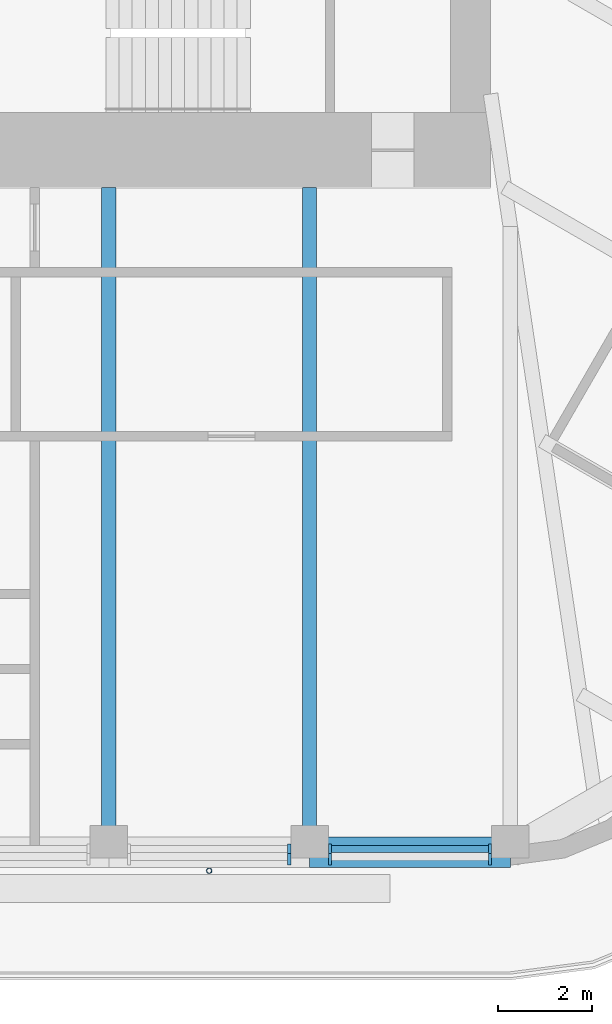
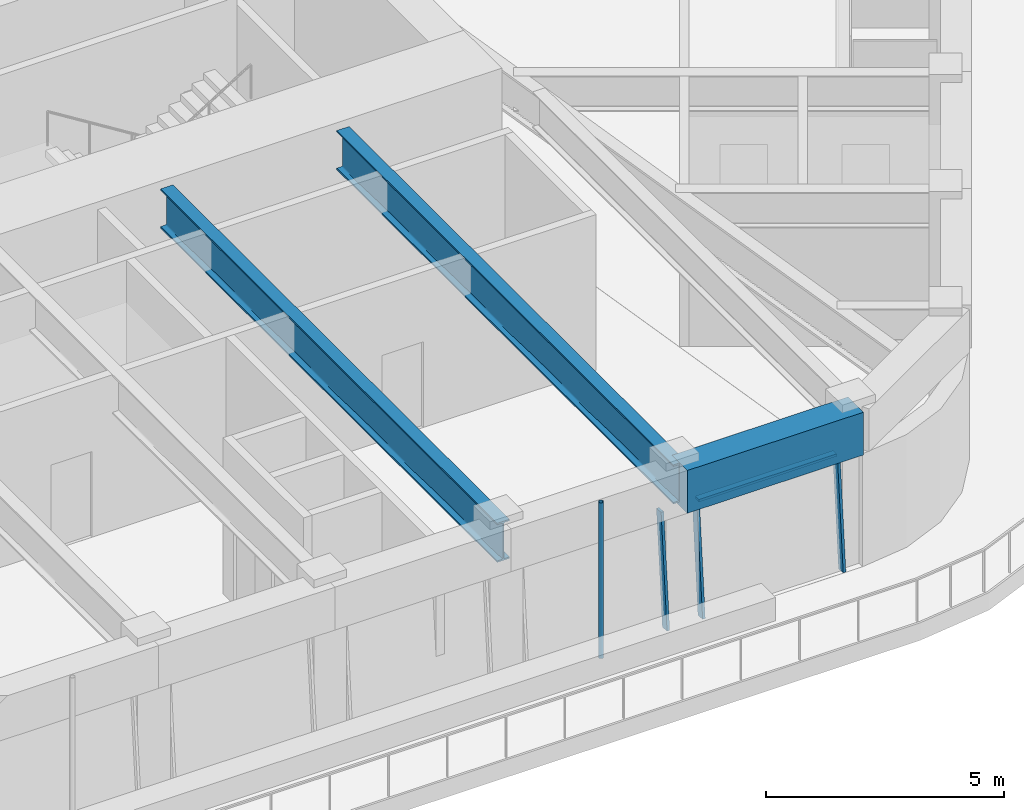
# One storey, part 4 of 20: 5 members, 3 beams, 2 elements without a shape of their own.
"""IFC4 building model written with IfcOpenShell, lengths in metres."""

from ifc_helpers import new_model, si_unit, direction, frame, origin, origin_2d, place, context, subcontext, project, spatial, rectangle, hollow_circle, i_section, extrude, material, material_profile, profile_set, type_object, element, aggregate, save


model = new_model("IFC4")

# Units and contexts
model_context = context("Model", 3, precision=1e-05, world=origin(), true_north=direction((0.0, 1.0)))
body_context = subcontext(model_context, "Body", "Model", "MODEL_VIEW")
ifc_project = project(units=[si_unit("LENGTHUNIT", "METRE"), si_unit("AREAUNIT", "SQUARE_METRE"), si_unit("VOLUMEUNIT", "CUBIC_METRE"), si_unit("PLANEANGLEUNIT", "RADIAN"), si_unit("MASSUNIT", "GRAM", prefix="KILO")], contexts=[model_context])

# Site, building, storey
site_placement = place(None, origin())
site = spatial("IfcSite", under=ifc_project, at=site_placement, CompositionType="ELEMENT")
building_placement = place(site_placement, origin())
building = spatial("IfcBuilding", under=site, at=building_placement, Name="Tarfa Lantern Tower", CompositionType="ELEMENT")
storey_placement = place(building_placement, frame((0.0, 0.0, 382.89990234375)))
storey = spatial("IfcBuildingStorey", under=building, at=storey_placement, Name="L87", CompositionType="ELEMENT", Elevation=382.89990234375)

# Curtain wall, member
ifc_material_1 = material(Name="Aluminium framed curtain wall", Category="aluminium")
curtain_wall_type = type_object("IfcCurtainWallType", Name="CW4 CANTED GLAZING EXECUTIVE ZONE 2900", PredefinedType="USERDEFINED", material=ifc_material_1)
curtain_wall_1_placement = place(storey_placement, origin())
curtain_wall_1 = element("IfcCurtainWall", 1, at=curtain_wall_1_placement, inside=storey, type_object=curtain_wall_type, Name="CW4 S L87", ObjectType="CURTAIN WALL", PredefinedType="USERDEFINED")
ifc_material_2 = material(Name="Aluminium mullion", Category="aluminium")
ifc_material_profile_1 = material_profile(ifc_material_2, rectangle(XDim=0.06494140625, YDim=0.199951171875, at=origin_2d()), Name="AL MULLION 65x200")
ifc_profile_set_1 = profile_set([ifc_material_profile_1], Name="Aluminium mullion")
member_type_1 = type_object("IfcMemberType", Name="CWM1 MULLION 65x200", PredefinedType="MULLION", material=ifc_profile_set_1)
member_1_placement = place(storey_placement, frame((8.131591796875, -26.64990234375, 0.0), z_axis=(0.0, 0.085884035992, 0.996305140186), x_axis=(-1.0, 0.0, 0.0)))
member_1 = element("IfcMember", 2, at=member_1_placement, type_object=member_type_1, Name="CW4 mullion 2", PredefinedType="MULLION", context=body_context, shape_type="SweptSolid", body=[
    extrude(rectangle(XDim=0.06494140625, YDim=0.199951171875, at=origin_2d()), origin(), (0.0, 0.0, 1.0), 2.910888671875),
])
aggregate(curtain_wall_1, [member_1])

# Curtain wall, members
curtain_wall_2_placement = place(storey_placement, origin())
curtain_wall_2 = element("IfcCurtainWall", 3, at=curtain_wall_2_placement, inside=storey, type_object=curtain_wall_type, Name="CW4 S L87", ObjectType="CURTAIN WALL", PredefinedType="USERDEFINED")
member_2_placement = place(storey_placement, frame((8.99658203125, -26.64990234375, 0.0), z_axis=(0.0, 0.085884035992, 0.996305140186), x_axis=(-1.0, 0.0, 0.0)))
member_2 = element("IfcMember", 4, at=member_2_placement, type_object=member_type_1, Name="CW4 mullion 1", PredefinedType="MULLION", context=body_context, shape_type="SweptSolid", body=[
    extrude(rectangle(XDim=0.06494140625, YDim=0.199951171875, at=origin_2d()), origin(), (0.0, 0.0, 1.0), 2.910888671875),
])
member_3_placement = place(storey_placement, frame((12.41357421875, -26.64990234375, 0.0), z_axis=(0.0, 0.085884035992, 0.996305140186), x_axis=(-1.0, 0.0, 0.0)))
member_3 = element("IfcMember", 5, at=member_3_placement, type_object=member_type_1, Name="CW4 mullion 2", PredefinedType="MULLION", context=body_context, shape_type="SweptSolid", body=[
    extrude(rectangle(XDim=0.06494140625, YDim=0.199951171875, at=origin_2d()), origin(), (0.0, 0.0, 1.0), 2.910888671875),
])
ifc_material_3 = material(Name="Aluminium transom", Category="aluminium")
ifc_material_profile_2 = material_profile(ifc_material_3, rectangle(XDim=0.14990234375, YDim=0.06494140625, at=origin_2d()), Name="AL TRANSOM 150x65")
ifc_profile_set_2 = profile_set([ifc_material_profile_2], Name="Aluminium transom")
member_type_2 = type_object("IfcMemberType", Name="CWT1 TRANSOM 150x65", PredefinedType="USERDEFINED", material=ifc_profile_set_2)
member_4_placement = place(storey_placement, frame((9.029052734375, -26.40283203125, 2.86767578125), z_axis=(1.0, 0.0, 0.0), x_axis=(0.0, 1.0, 0.0)))
member_4 = element("IfcMember", 6, at=member_4_placement, type_object=member_type_2, Name="CW4 transom 1.2", ObjectType="TRANSOM", PredefinedType="USERDEFINED", context=body_context, shape_type="SweptSolid", body=[
    extrude(rectangle(XDim=0.14990234375, YDim=0.06494140625, at=origin_2d()), origin(), (0.0, 0.0, 1.0), 3.35205078125),
])
aggregate(curtain_wall_2, [member_2, member_3, member_4])

# Beam
ifc_material_4 = material(Name="Concrete C80/95", Category="concrete")
ifc_material_profile_3 = material_profile(ifc_material_4, rectangle(XDim=0.64990234375, YDim=1.10009765625, at=origin_2d()), Name="RC 650x1100")
ifc_profile_set_3 = profile_set([ifc_material_profile_3], Name="Concrete C80/95")
beam_type_1 = type_object("IfcBeamType", Name="EB4 RC 650x1100", PredefinedType="SPANDREL", material=ifc_profile_set_3)
beam_placement = place(storey_placement, frame((8.56396484375, -26.469970703125, 3.4501953125), z_axis=(1.0, 0.0, 0.0), x_axis=(0.0, 1.0, 0.0)))
element("IfcBeam", 7, at=beam_placement, inside=storey, type_object=beam_type_1, Name="Edge beam S5", PredefinedType="SPANDREL", context=body_context, shape_type="SweptSolid", body=[
    extrude(rectangle(XDim=0.64990234375, YDim=1.10009765625, at=origin_2d()), origin(), (0.0, 0.0, 1.0), 4.281982421875),
])

# Member
ifc_material_5 = material(Name="Steel S355", Category="steel")
ifc_material_profile_4 = material_profile(ifc_material_5, hollow_circle(Radius=0.05712890625, WallThickness=0.00634765625, at=origin_2d()), Name="CHS114.3x6.3")
ifc_profile_set_4 = profile_set([ifc_material_profile_4], Name="Steel S355")
member_type_3 = type_object("IfcMemberType", Name="TR1 GREEN WALL TRELLIS CHS114.3x6.3", PredefinedType="USERDEFINED", material=ifc_profile_set_4)
member_5_placement = place(storey_placement, frame((6.423095703125, -26.8701171875, 0.0), z_axis=(0.0, 0.0, 1.0), x_axis=(1.0, 0.0, 0.0)))
element("IfcMember", 8, at=member_5_placement, inside=storey, type_object=member_type_3, Name="Trellis post S 2", ObjectType="TRELLIS", PredefinedType="USERDEFINED", context=body_context, shape_type="SweptSolid", body=[
    extrude(hollow_circle(Radius=0.05712890625, WallThickness=0.00634765625, at=origin_2d()), origin(), (0.0, 0.0, 1.0), 4.0),
])

# Beams
ifc_material_6 = material(Name="Steel S460M", Category="steel")
ifc_material_profile_5 = material_profile(ifc_material_6, i_section(OverallWidth=0.302001953125, OverallDepth=1.008056640625, WebThickness=0.02099609375, FlangeThickness=0.0400390625, FilletRadius=0.030029296875, at=origin_2d()), Name="UB1016x305x349")
ifc_profile_set_5 = profile_set([ifc_material_profile_5], Name="Steel S460M")
beam_type_2 = type_object("IfcBeamType", Name="UB1016x305x349", PredefinedType="BEAM", material=ifc_profile_set_5)
for number, where, z_axis, x_axis, name in (
    (9, (4.281982421875, -26.469970703125, 3.49609375), (0.0, 1.0, 0.0), (-1.0, 0.0, 0.0), "Floor beam S4"),
    (10, (8.56396484375, -26.469970703125, 3.49609375), (0.0, 1.0, 0.0), (-1.0, 0.0, 0.0), "Floor beam S5"),
):
    element("IfcBeam", number, at=place(storey_placement, frame(where, z_axis=z_axis, x_axis=x_axis)), inside=storey, type_object=beam_type_2, Name=name, PredefinedType="BEAM", context=body_context, shape_type="SweptSolid", body=[
        extrude(i_section(OverallWidth=0.302001953125, OverallDepth=1.008056640625, WebThickness=0.02099609375, FlangeThickness=0.0400390625, FilletRadius=0.030029296875, at=origin_2d()), origin(), (0.0, 0.0, 1.0), 14.169921875),
    ])

save(model, "model.ifc")
